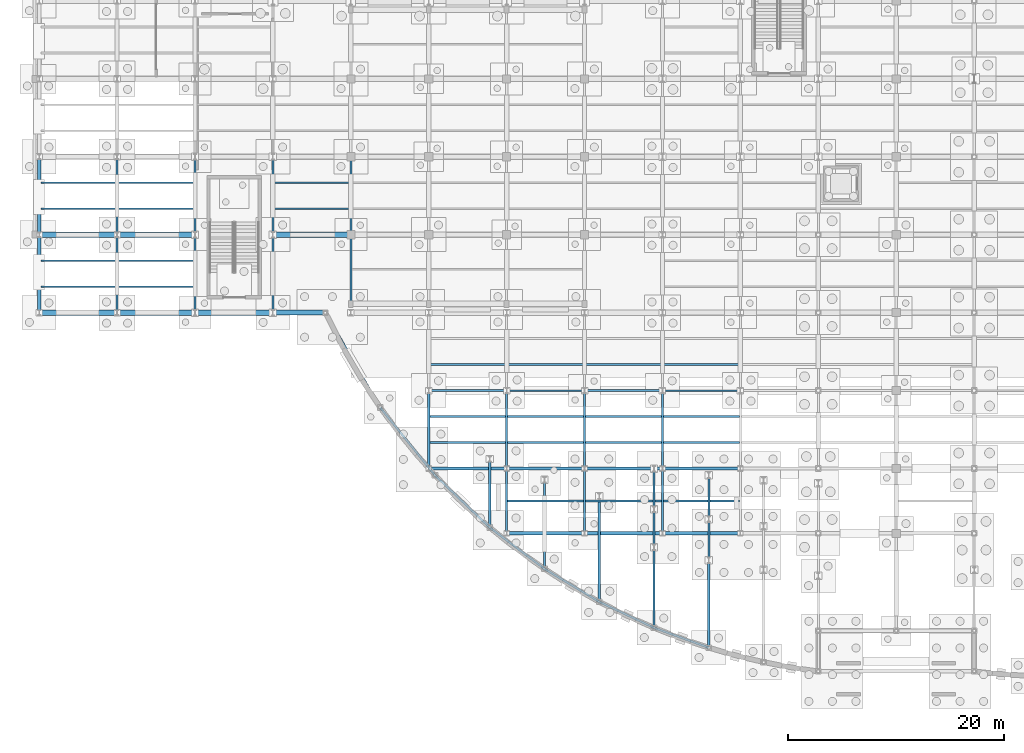
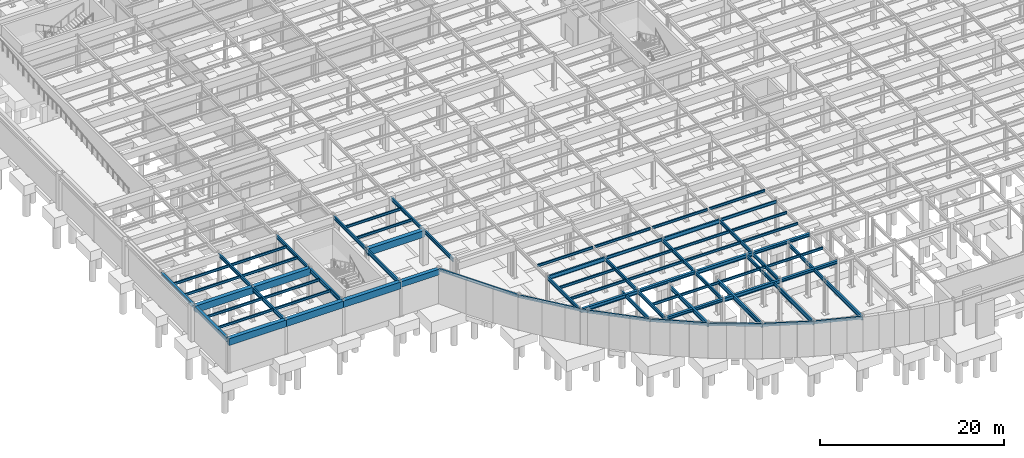
# One storey, part 32 of 64: 76 beams.
"""IFC4 building model written with IfcOpenShell, lengths in metres."""

from ifc_helpers import new_model, si_unit, direction, frame, origin, origin_2d, place, context, subcontext, project, spatial, rectangle, hollow_rectangle, i_section, extrude, material, material_profile, profile_set, type_object, element, save


model = new_model("IFC4")

# Units and contexts
model_context = context("Model", 3, precision=1e-05, world=origin(), true_north=direction((0.0, 1.0)))
body_context = subcontext(model_context, "Body", "Model", "MODEL_VIEW")
ifc_project = project(units=[si_unit("LENGTHUNIT", "METRE"), si_unit("AREAUNIT", "SQUARE_METRE"), si_unit("VOLUMEUNIT", "CUBIC_METRE"), si_unit("PLANEANGLEUNIT", "RADIAN"), si_unit("MASSUNIT", "GRAM", prefix="KILO")], contexts=[model_context])

# Site, building, storey
site_placement = place(None, origin())
site = spatial("IfcSite", under=ifc_project, at=site_placement, CompositionType="ELEMENT")
building_placement = place(site_placement, origin())
building = spatial("IfcBuilding", under=site, at=building_placement, Name="Solvadek Multi-Sports Hall", CompositionType="ELEMENT")
storey_placement = place(building_placement, frame((0.0, 0.0, -4.800048828125)))
storey = spatial("IfcBuildingStorey", under=building, at=storey_placement, Name="B1", CompositionType="ELEMENT", Elevation=-4.800048828125)

# Beams
ifc_material_1 = material(Name="Steel E350 (350 MPa)", Category="steel")
ifc_material_profile_1 = material_profile(ifc_material_1, i_section(OverallWidth=0.139892578125, OverallDepth=0.39990234375, WebThickness=0.0087890625, FlangeThickness=0.01611328125, at=origin_2d()), Name="ISMB 400")
ifc_profile_set_1 = profile_set([ifc_material_profile_1], Name="Steel E350 (350 MPa)")
beam_type_1 = type_object("IfcBeamType", Name="STR-BM-ISMB400", PredefinedType="BEAM", material=ifc_profile_set_1)
for number, where, z_axis, x_axis, name in (
    (1, (43.199951171875, 13.199951171875, 4.35009765625), (1.0, 0.0, 0.0), (0.0, 1.0, 0.0), "B1 Girder B-10 #25"),
    (2, (57.60009765625, 13.199951171875, 4.35009765625), (1.0, 0.0, 0.0), (0.0, 1.0, 0.0), "B1 Girder B-10 #27"),
):
    element("IfcBeam", number, at=place(storey_placement, frame(where, z_axis=z_axis, x_axis=x_axis)), inside=storey, type_object=beam_type_1, Name=name, PredefinedType="BEAM", context=body_context, shape_type="SweptSolid", body=[
        extrude(i_section(OverallWidth=0.139892578125, OverallDepth=0.39990234375, WebThickness=0.0087890625, FlangeThickness=0.01611328125, at=origin_2d()), origin(), (0.0, 0.0, 1.0), 7.199951171875),
    ])
ifc_material_profile_2 = material_profile(ifc_material_1, i_section(OverallWidth=0.18994140625, OverallDepth=0.550048828125, WebThickness=0.01123046875, FlangeThickness=0.019287109375, at=origin_2d()), Name="ISMB 550")
ifc_profile_set_2 = profile_set([ifc_material_profile_2], Name="Steel E350 (350 MPa)")
beam_type_2 = type_object("IfcBeamType", Name="STR-BM-ISMB550", PredefinedType="BEAM", material=ifc_profile_set_2)
beam_1_placement = place(storey_placement, frame((36.0, 13.199951171875, 4.275146484375), z_axis=(1.0, 0.0, 0.0), x_axis=(0.0, 1.0, 0.0)))
element("IfcBeam", 3, at=beam_1_placement, inside=storey, type_object=beam_type_2, Name="B1 Girder B-06 #24", PredefinedType="BEAM", context=body_context, shape_type="SweptSolid", body=[
    extrude(i_section(OverallWidth=0.18994140625, OverallDepth=0.550048828125, WebThickness=0.01123046875, FlangeThickness=0.019287109375, at=origin_2d()), origin(), (0.0, 0.0, 1.0), 7.199951171875),
])
beam_2_placement = place(storey_placement, frame((50.39990234375, 13.199951171875, 4.275146484375), z_axis=(1.0, 0.0, 0.0), x_axis=(0.0, 1.0, 0.0)))
element("IfcBeam", 4, at=beam_2_placement, inside=storey, type_object=beam_type_2, Name="B1 Girder B-06 #26", PredefinedType="BEAM", context=body_context, shape_type="SweptSolid", body=[
    extrude(i_section(OverallWidth=0.18994140625, OverallDepth=0.550048828125, WebThickness=0.01123046875, FlangeThickness=0.019287109375, at=origin_2d()), origin(), (0.0, 0.0, 1.0), 7.2001953125),
])
ifc_material_profile_3 = material_profile(ifc_material_1, i_section(OverallWidth=0.18994140625, OverallDepth=0.449951171875, WebThickness=0.009521484375, FlangeThickness=0.0146484375, at=origin_2d()), Name="NPB 450")
ifc_profile_set_3 = profile_set([ifc_material_profile_3], Name="Steel E350 (350 MPa)")
beam_type_3 = type_object("IfcBeamType", Name="STR-BM-NPB450", PredefinedType="BEAM", material=ifc_profile_set_3)
for number, where, z_axis, x_axis, name in (
    (5, (7.199951171875, 27.60009765625, 4.324951171875), (0.0, 1.0, 0.0), (-1.0, 0.0, 0.0), "B1 Girder B-08 #270"),
    (6, (14.39990234375, 27.60009765625, 4.324951171875), (0.0, 1.0, 0.0), (-1.0, 0.0, 0.0), "B1 Girder B-08 #282"),
    (7, (21.60009765625, 27.60009765625, 4.324951171875), (0.0, 1.0, 0.0), (-1.0, 0.0, 0.0), "B1 Girder B-08 #293"),
):
    element("IfcBeam", number, at=place(storey_placement, frame(where, z_axis=z_axis, x_axis=x_axis)), inside=storey, type_object=beam_type_3, Name=name, PredefinedType="BEAM", context=body_context, shape_type="SweptSolid", body=[
        extrude(i_section(OverallWidth=0.18994140625, OverallDepth=0.449951171875, WebThickness=0.009521484375, FlangeThickness=0.0146484375, at=origin_2d()), origin(), (0.0, 0.0, 1.0), 7.199951171875),
    ])
beam_3_placement = place(storey_placement, frame((28.800048828125, 21.199951171875, 4.324951171875), z_axis=(0.0, 1.0, 0.0), x_axis=(-1.0, 0.0, 0.0)))
element("IfcBeam", 8, at=beam_3_placement, inside=storey, type_object=beam_type_3, Name="B1 Girder B-08 #304", PredefinedType="BEAM", context=body_context, shape_type="SweptSolid", body=[
    extrude(i_section(OverallWidth=0.18994140625, OverallDepth=0.449951171875, WebThickness=0.009521484375, FlangeThickness=0.0146484375, at=origin_2d()), origin(), (0.0, 0.0, 1.0), 6.400146484375),
])
for number, where, z_axis, x_axis, name in (
    (9, (28.800048828125, 27.60009765625, 4.324951171875), (0.0, 1.0, 0.0), (-1.0, 0.0, 0.0), "B1 Girder B-08 #305"),
    (10, (36.0, 6.0, 4.324951171875), (0.0, 1.0, 0.0), (-1.0, 0.0, 0.0), "B1 Girder B-08 #316"),
):
    element("IfcBeam", number, at=place(storey_placement, frame(where, z_axis=z_axis, x_axis=x_axis)), inside=storey, type_object=beam_type_3, Name=name, PredefinedType="BEAM", context=body_context, shape_type="SweptSolid", body=[
        extrude(i_section(OverallWidth=0.18994140625, OverallDepth=0.449951171875, WebThickness=0.009521484375, FlangeThickness=0.0146484375, at=origin_2d()), origin(), (0.0, 0.0, 1.0), 7.199951171875),
    ])
beam_4_placement = place(storey_placement, frame((41.636474609375, 0.54541015625, 4.324951171875), z_axis=(0.0, 1.0, 0.0), x_axis=(-1.0, 0.0, 0.0)))
element("IfcBeam", 11, at=beam_4_placement, inside=storey, type_object=beam_type_3, Name="B1 Girder B-08 #330", PredefinedType="BEAM", context=body_context, shape_type="SweptSolid", body=[
    extrude(i_section(OverallWidth=0.18994140625, OverallDepth=0.449951171875, WebThickness=0.009521484375, FlangeThickness=0.0146484375, at=origin_2d()), origin(), (0.0, 0.0, 1.0), 6.3271484375),
])
beam_5_placement = place(storey_placement, frame((43.199951171875, 0.0, 4.324951171875), z_axis=(0.0, 1.0, 0.0), x_axis=(-1.0, 0.0, 0.0)))
element("IfcBeam", 12, at=beam_5_placement, inside=storey, type_object=beam_type_3, Name="B1 Girder B-08 #331", PredefinedType="BEAM", context=body_context, shape_type="SweptSolid", body=[
    extrude(i_section(OverallWidth=0.18994140625, OverallDepth=0.449951171875, WebThickness=0.009521484375, FlangeThickness=0.0146484375, at=origin_2d()), origin(), (0.0, 0.0, 1.0), 6.0),
])
beam_6_placement = place(storey_placement, frame((43.199951171875, 6.0, 4.324951171875), z_axis=(0.0, 1.0, 0.0), x_axis=(-1.0, 0.0, 0.0)))
element("IfcBeam", 13, at=beam_6_placement, inside=storey, type_object=beam_type_3, Name="B1 Girder B-08 #332", PredefinedType="BEAM", context=body_context, shape_type="SweptSolid", body=[
    extrude(i_section(OverallWidth=0.18994140625, OverallDepth=0.449951171875, WebThickness=0.009521484375, FlangeThickness=0.0146484375, at=origin_2d()), origin(), (0.0, 0.0, 1.0), 7.199951171875),
])
beam_7_placement = place(storey_placement, frame((50.39990234375, 0.0, 4.324951171875), z_axis=(0.0, 1.0, 0.0), x_axis=(-1.0, 0.0, 0.0)))
element("IfcBeam", 14, at=beam_7_placement, inside=storey, type_object=beam_type_3, Name="B1 Girder B-08 #347", PredefinedType="BEAM", context=body_context, shape_type="SweptSolid", body=[
    extrude(i_section(OverallWidth=0.18994140625, OverallDepth=0.449951171875, WebThickness=0.009521484375, FlangeThickness=0.0146484375, at=origin_2d()), origin(), (0.0, 0.0, 1.0), 6.0),
])
beam_8_placement = place(storey_placement, frame((50.39990234375, 6.0, 4.324951171875), z_axis=(0.0, 1.0, 0.0), x_axis=(-1.0, 0.0, 0.0)))
element("IfcBeam", 15, at=beam_8_placement, inside=storey, type_object=beam_type_3, Name="B1 Girder B-08 #348", PredefinedType="BEAM", context=body_context, shape_type="SweptSolid", body=[
    extrude(i_section(OverallWidth=0.18994140625, OverallDepth=0.449951171875, WebThickness=0.009521484375, FlangeThickness=0.0146484375, at=origin_2d()), origin(), (0.0, 0.0, 1.0), 7.199951171875),
])
beam_9_placement = place(storey_placement, frame((56.818115234375, -1.27001953125, 4.324951171875), z_axis=(0.0, 1.0, 0.0), x_axis=(-1.0, 0.0, 0.0)))
element("IfcBeam", 16, at=beam_9_placement, inside=storey, type_object=beam_type_3, Name="B1 Girder B-08 #364", PredefinedType="BEAM", context=body_context, shape_type="SweptSolid", body=[
    extrude(i_section(OverallWidth=0.18994140625, OverallDepth=0.449951171875, WebThickness=0.009521484375, FlangeThickness=0.0146484375, at=origin_2d()), origin(), (0.0, 0.0, 1.0), 3.5078125),
])
beam_10_placement = place(storey_placement, frame((56.818115234375, 2.23779296875, 4.324951171875), z_axis=(0.0, 1.0, 0.0), x_axis=(-1.0, 0.0, 0.0)))
element("IfcBeam", 17, at=beam_10_placement, inside=storey, type_object=beam_type_3, Name="B1 Girder B-08 #365", PredefinedType="BEAM", context=body_context, shape_type="SweptSolid", body=[
    extrude(i_section(OverallWidth=0.18994140625, OverallDepth=0.449951171875, WebThickness=0.009521484375, FlangeThickness=0.0146484375, at=origin_2d()), origin(), (0.0, 0.0, 1.0), 3.727294921875),
])
beam_11_placement = place(storey_placement, frame((57.60009765625, 0.0, 4.324951171875), z_axis=(0.0, 1.0, 0.0), x_axis=(-1.0, 0.0, 0.0)))
element("IfcBeam", 18, at=beam_11_placement, inside=storey, type_object=beam_type_3, Name="B1 Girder B-08 #366", PredefinedType="BEAM", context=body_context, shape_type="SweptSolid", body=[
    extrude(i_section(OverallWidth=0.18994140625, OverallDepth=0.449951171875, WebThickness=0.009521484375, FlangeThickness=0.0146484375, at=origin_2d()), origin(), (0.0, 0.0, 1.0), 6.0),
])
beam_12_placement = place(storey_placement, frame((57.60009765625, 6.0, 4.324951171875), z_axis=(0.0, 1.0, 0.0), x_axis=(-1.0, 0.0, 0.0)))
element("IfcBeam", 19, at=beam_12_placement, inside=storey, type_object=beam_type_3, Name="B1 Girder B-08 #367", PredefinedType="BEAM", context=body_context, shape_type="SweptSolid", body=[
    extrude(i_section(OverallWidth=0.18994140625, OverallDepth=0.449951171875, WebThickness=0.009521484375, FlangeThickness=0.0146484375, at=origin_2d()), origin(), (0.0, 0.0, 1.0), 7.199951171875),
])
beam_13_placement = place(storey_placement, frame((61.87890625, -2.4833984375, 4.324951171875), z_axis=(0.0, 1.0, 0.0), x_axis=(-1.0, 0.0, 0.0)))
element("IfcBeam", 20, at=beam_13_placement, inside=storey, type_object=beam_type_3, Name="B1 Girder B-08 #382", PredefinedType="BEAM", context=body_context, shape_type="SweptSolid", body=[
    extrude(i_section(OverallWidth=0.18994140625, OverallDepth=0.449951171875, WebThickness=0.009521484375, FlangeThickness=0.0146484375, at=origin_2d()), origin(), (0.0, 0.0, 1.0), 3.802001953125),
])
beam_14_placement = place(storey_placement, frame((61.87890625, 1.318603515625, 4.324951171875), z_axis=(0.0, 1.0, 0.0), x_axis=(-1.0, 0.0, 0.0)))
element("IfcBeam", 21, at=beam_14_placement, inside=storey, type_object=beam_type_3, Name="B1 Girder B-08 #383", PredefinedType="BEAM", context=body_context, shape_type="SweptSolid", body=[
    extrude(i_section(OverallWidth=0.18994140625, OverallDepth=0.449951171875, WebThickness=0.009521484375, FlangeThickness=0.0146484375, at=origin_2d()), origin(), (0.0, 0.0, 1.0), 4.039794921875),
])
ifc_material_profile_4 = material_profile(ifc_material_1, i_section(OverallWidth=0.2099609375, OverallDepth=0.550048828125, WebThickness=0.010986328125, FlangeThickness=0.01708984375, at=origin_2d()), Name="NPB 550")
ifc_profile_set_4 = profile_set([ifc_material_profile_4], Name="Steel E350 (350 MPa)")
beam_type_4 = type_object("IfcBeamType", Name="STR-BM-NPB550", PredefinedType="BEAM", material=ifc_profile_set_4)
for number, where, z_axis, x_axis, name in (
    (22, (7.199951171875, 20.39990234375, 4.275146484375), (0.0, 1.0, 0.0), (-1.0, 0.0, 0.0), "B1 Girder B-05 #269"),
    (23, (14.39990234375, 20.39990234375, 4.275146484375), (0.0, 1.0, 0.0), (-1.0, 0.0, 0.0), "B1 Girder B-05 #281"),
    (24, (21.60009765625, 20.39990234375, 4.275146484375), (0.0, 1.0, 0.0), (-1.0, 0.0, 0.0), "B1 Girder B-05 #292"),
):
    element("IfcBeam", number, at=place(storey_placement, frame(where, z_axis=z_axis, x_axis=x_axis)), inside=storey, type_object=beam_type_4, Name=name, PredefinedType="BEAM", context=body_context, shape_type="SweptSolid", body=[
        extrude(i_section(OverallWidth=0.2099609375, OverallDepth=0.550048828125, WebThickness=0.010986328125, FlangeThickness=0.01708984375, at=origin_2d()), origin(), (0.0, 0.0, 1.0), 7.2001953125),
    ])
beam_15_placement = place(storey_placement, frame((46.697021484375, -3.2783203125, 4.275146484375), z_axis=(0.0, 1.0, 0.0), x_axis=(-1.0, 0.0, 0.0)))
element("IfcBeam", 25, at=beam_15_placement, inside=storey, type_object=beam_type_4, Name="B1 Girder B-05 #346", PredefinedType="BEAM", context=body_context, shape_type="SweptSolid", body=[
    extrude(i_section(OverallWidth=0.2099609375, OverallDepth=0.550048828125, WebThickness=0.010986328125, FlangeThickness=0.01708984375, at=origin_2d()), origin(), (0.0, 0.0, 1.0), 8.239013671875),
])
beam_16_placement = place(storey_placement, frame((51.757568359375, -6.323974609375, 4.275146484375), z_axis=(0.0, 1.0, 0.0), x_axis=(-1.0, 0.0, 0.0)))
element("IfcBeam", 26, at=beam_16_placement, inside=storey, type_object=beam_type_4, Name="B1 Girder B-05 #362", PredefinedType="BEAM", context=body_context, shape_type="SweptSolid", body=[
    extrude(i_section(OverallWidth=0.2099609375, OverallDepth=0.550048828125, WebThickness=0.010986328125, FlangeThickness=0.01708984375, at=origin_2d()), origin(), (0.0, 0.0, 1.0), 9.761962890625),
])
beam_17_placement = place(storey_placement, frame((56.818115234375, -8.72412109375, 4.275146484375), z_axis=(0.0, 1.0, 0.0), x_axis=(-1.0, 0.0, 0.0)))
element("IfcBeam", 27, at=beam_17_placement, inside=storey, type_object=beam_type_4, Name="B1 Girder B-05 #363", PredefinedType="BEAM", context=body_context, shape_type="SweptSolid", body=[
    extrude(i_section(OverallWidth=0.2099609375, OverallDepth=0.550048828125, WebThickness=0.010986328125, FlangeThickness=0.01708984375, at=origin_2d()), origin(), (0.0, 0.0, 1.0), 7.4541015625),
])
beam_18_placement = place(storey_placement, frame((61.87890625, -10.562744140625, 4.275146484375), z_axis=(0.0, 1.0, 0.0), x_axis=(-1.0, 0.0, 0.0)))
element("IfcBeam", 28, at=beam_18_placement, inside=storey, type_object=beam_type_4, Name="B1 Girder B-05 #381", PredefinedType="BEAM", context=body_context, shape_type="SweptSolid", body=[
    extrude(i_section(OverallWidth=0.2099609375, OverallDepth=0.550048828125, WebThickness=0.010986328125, FlangeThickness=0.01708984375, at=origin_2d()), origin(), (0.0, 0.0, 1.0), 8.079345703125),
])
ifc_material_profile_5 = material_profile(ifc_material_1, i_section(OverallWidth=0.159912109375, OverallDepth=0.330078125, WebThickness=0.007568359375, FlangeThickness=0.011474609375, at=origin_2d()), Name="NPB 330")
ifc_profile_set_5 = profile_set([ifc_material_profile_5], Name="Steel E350 (350 MPa)")
beam_type_5 = type_object("IfcBeamType", Name="STR-JST-NPB330", PredefinedType="JOIST", material=ifc_profile_set_5)
beam_19_placement = place(storey_placement, frame((43.294921875, 3.0, 4.385009765625), z_axis=(1.0, 0.0, 0.0), x_axis=(0.0, 1.0, 0.0)))
element("IfcBeam", 29, at=beam_19_placement, inside=storey, type_object=beam_type_5, Name="B1 Composite Joist J-02 #1", PredefinedType="JOIST", context=body_context, shape_type="SweptSolid", body=[
    extrude(i_section(OverallWidth=0.159912109375, OverallDepth=0.330078125, WebThickness=0.007568359375, FlangeThickness=0.011474609375, at=origin_2d()), origin(), (0.0, 0.0, 1.0), 7.010009765625),
])
beam_20_placement = place(storey_placement, frame((50.4951171875, 3.0, 4.385009765625), z_axis=(1.0, 0.0, 0.0), x_axis=(0.0, 1.0, 0.0)))
element("IfcBeam", 30, at=beam_20_placement, inside=storey, type_object=beam_type_5, Name="B1 Composite Joist J-02 #2", PredefinedType="JOIST", context=body_context, shape_type="SweptSolid", body=[
    extrude(i_section(OverallWidth=0.159912109375, OverallDepth=0.330078125, WebThickness=0.007568359375, FlangeThickness=0.011474609375, at=origin_2d()), origin(), (0.0, 0.0, 1.0), 7.009765625),
])
for number, where, z_axis, x_axis, name in (
    (31, (57.695068359375, 3.0, 4.385009765625), (1.0, 0.0, 0.0), (0.0, 1.0, 0.0), "B1 Composite Joist J-02 #3"),
    (32, (36.094970703125, 8.39990234375, 4.385009765625), (1.0, 0.0, 0.0), (0.0, 1.0, 0.0), "B1 Composite Joist J-02 #5"),
    (33, (36.094970703125, 10.800048828125, 4.385009765625), (1.0, 0.0, 0.0), (0.0, 1.0, 0.0), "B1 Composite Joist J-02 #6"),
    (34, (43.294921875, 8.39990234375, 4.385009765625), (1.0, 0.0, 0.0), (0.0, 1.0, 0.0), "B1 Composite Joist J-02 #7"),
    (35, (43.294921875, 10.800048828125, 4.385009765625), (1.0, 0.0, 0.0), (0.0, 1.0, 0.0), "B1 Composite Joist J-02 #8"),
):
    element("IfcBeam", number, at=place(storey_placement, frame(where, z_axis=z_axis, x_axis=x_axis)), inside=storey, type_object=beam_type_5, Name=name, PredefinedType="JOIST", context=body_context, shape_type="SweptSolid", body=[
        extrude(i_section(OverallWidth=0.159912109375, OverallDepth=0.330078125, WebThickness=0.007568359375, FlangeThickness=0.011474609375, at=origin_2d()), origin(), (0.0, 0.0, 1.0), 7.010009765625),
    ])
for number, where, z_axis, x_axis, name in (
    (36, (50.4951171875, 8.39990234375, 4.385009765625), (1.0, 0.0, 0.0), (0.0, 1.0, 0.0), "B1 Composite Joist J-02 #9"),
    (37, (50.4951171875, 10.800048828125, 4.385009765625), (1.0, 0.0, 0.0), (0.0, 1.0, 0.0), "B1 Composite Joist J-02 #10"),
):
    element("IfcBeam", number, at=place(storey_placement, frame(where, z_axis=z_axis, x_axis=x_axis)), inside=storey, type_object=beam_type_5, Name=name, PredefinedType="JOIST", context=body_context, shape_type="SweptSolid", body=[
        extrude(i_section(OverallWidth=0.159912109375, OverallDepth=0.330078125, WebThickness=0.007568359375, FlangeThickness=0.011474609375, at=origin_2d()), origin(), (0.0, 0.0, 1.0), 7.009765625),
    ])
for number, where, z_axis, x_axis, name in (
    (38, (57.695068359375, 8.39990234375, 4.385009765625), (1.0, 0.0, 0.0), (0.0, 1.0, 0.0), "B1 Composite Joist J-02 #11"),
    (39, (57.695068359375, 10.800048828125, 4.385009765625), (1.0, 0.0, 0.0), (0.0, 1.0, 0.0), "B1 Composite Joist J-02 #12"),
    (40, (36.094970703125, 15.60009765625, 4.385009765625), (1.0, 0.0, 0.0), (0.0, 1.0, 0.0), "B1 Composite Joist J-02 #33"),
    (41, (43.294921875, 15.60009765625, 4.385009765625), (1.0, 0.0, 0.0), (0.0, 1.0, 0.0), "B1 Composite Joist J-02 #35"),
):
    element("IfcBeam", number, at=place(storey_placement, frame(where, z_axis=z_axis, x_axis=x_axis)), inside=storey, type_object=beam_type_5, Name=name, PredefinedType="JOIST", context=body_context, shape_type="SweptSolid", body=[
        extrude(i_section(OverallWidth=0.159912109375, OverallDepth=0.330078125, WebThickness=0.007568359375, FlangeThickness=0.011474609375, at=origin_2d()), origin(), (0.0, 0.0, 1.0), 7.010009765625),
    ])
beam_21_placement = place(storey_placement, frame((50.4951171875, 15.60009765625, 4.385009765625), z_axis=(1.0, 0.0, 0.0), x_axis=(0.0, 1.0, 0.0)))
element("IfcBeam", 42, at=beam_21_placement, inside=storey, type_object=beam_type_5, Name="B1 Composite Joist J-02 #37", PredefinedType="JOIST", context=body_context, shape_type="SweptSolid", body=[
    extrude(i_section(OverallWidth=0.159912109375, OverallDepth=0.330078125, WebThickness=0.007568359375, FlangeThickness=0.011474609375, at=origin_2d()), origin(), (0.0, 0.0, 1.0), 7.009765625),
])
beam_22_placement = place(storey_placement, frame((57.695068359375, 15.60009765625, 4.385009765625), z_axis=(1.0, 0.0, 0.0), x_axis=(0.0, 1.0, 0.0)))
element("IfcBeam", 43, at=beam_22_placement, inside=storey, type_object=beam_type_5, Name="B1 Composite Joist J-02 #39", PredefinedType="JOIST", context=body_context, shape_type="SweptSolid", body=[
    extrude(i_section(OverallWidth=0.159912109375, OverallDepth=0.330078125, WebThickness=0.007568359375, FlangeThickness=0.011474609375, at=origin_2d()), origin(), (0.0, 0.0, 1.0), 7.010009765625),
])
for number, where, z_axis, x_axis, name in (
    (44, (0.14990234375, 22.800048828125, 4.385009765625), (1.0, 0.0, 0.0), (0.0, 1.0, 0.0), "B1 Composite Joist J-02 #61"),
    (45, (0.14990234375, 25.199951171875, 4.385009765625), (1.0, 0.0, 0.0), (0.0, 1.0, 0.0), "B1 Composite Joist J-02 #62"),
):
    element("IfcBeam", number, at=place(storey_placement, frame(where, z_axis=z_axis, x_axis=x_axis)), inside=storey, type_object=beam_type_5, Name=name, PredefinedType="JOIST", context=body_context, shape_type="SweptSolid", body=[
        extrude(i_section(OverallWidth=0.159912109375, OverallDepth=0.330078125, WebThickness=0.007568359375, FlangeThickness=0.011474609375, at=origin_2d()), origin(), (0.0, 0.0, 1.0), 6.945068359375),
    ])
for number, where, z_axis, x_axis, name in (
    (46, (7.304931640625, 22.800048828125, 4.385009765625), (1.0, 0.0, 0.0), (0.0, 1.0, 0.0), "B1 Composite Joist J-02 #63"),
    (47, (7.304931640625, 25.199951171875, 4.385009765625), (1.0, 0.0, 0.0), (0.0, 1.0, 0.0), "B1 Composite Joist J-02 #64"),
):
    element("IfcBeam", number, at=place(storey_placement, frame(where, z_axis=z_axis, x_axis=x_axis)), inside=storey, type_object=beam_type_5, Name=name, PredefinedType="JOIST", context=body_context, shape_type="SweptSolid", body=[
        extrude(i_section(OverallWidth=0.159912109375, OverallDepth=0.330078125, WebThickness=0.007568359375, FlangeThickness=0.011474609375, at=origin_2d()), origin(), (0.0, 0.0, 1.0), 6.989990234375),
    ])
for number, where, z_axis, x_axis, name in (
    (48, (0.14990234375, 30.0, 4.385009765625), (1.0, 0.0, 0.0), (0.0, 1.0, 0.0), "B1 Composite Joist J-02 #88"),
    (49, (0.14990234375, 32.39990234375, 4.385009765625), (1.0, 0.0, 0.0), (0.0, 1.0, 0.0), "B1 Composite Joist J-02 #89"),
):
    element("IfcBeam", number, at=place(storey_placement, frame(where, z_axis=z_axis, x_axis=x_axis)), inside=storey, type_object=beam_type_5, Name=name, PredefinedType="JOIST", context=body_context, shape_type="SweptSolid", body=[
        extrude(i_section(OverallWidth=0.159912109375, OverallDepth=0.330078125, WebThickness=0.007568359375, FlangeThickness=0.011474609375, at=origin_2d()), origin(), (0.0, 0.0, 1.0), 6.955078125),
    ])
for number, where, z_axis, x_axis, name in (
    (50, (7.294921875, 30.0, 4.385009765625), (1.0, 0.0, 0.0), (0.0, 1.0, 0.0), "B1 Composite Joist J-02 #90"),
    (51, (7.294921875, 32.39990234375, 4.385009765625), (1.0, 0.0, 0.0), (0.0, 1.0, 0.0), "B1 Composite Joist J-02 #91"),
    (52, (21.695068359375, 30.0, 4.385009765625), (1.0, 0.0, 0.0), (0.0, 1.0, 0.0), "B1 Composite Joist J-02 #92"),
    (53, (21.695068359375, 32.39990234375, 4.385009765625), (1.0, 0.0, 0.0), (0.0, 1.0, 0.0), "B1 Composite Joist J-02 #93"),
):
    element("IfcBeam", number, at=place(storey_placement, frame(where, z_axis=z_axis, x_axis=x_axis)), inside=storey, type_object=beam_type_5, Name=name, PredefinedType="JOIST", context=body_context, shape_type="SweptSolid", body=[
        extrude(i_section(OverallWidth=0.159912109375, OverallDepth=0.330078125, WebThickness=0.007568359375, FlangeThickness=0.011474609375, at=origin_2d()), origin(), (0.0, 0.0, 1.0), 7.010009765625),
    ])
ifc_material_profile_6 = material_profile(ifc_material_1, hollow_rectangle(XDim=0.199951171875, YDim=0.35009765625, WallThickness=0.011962890625, at=origin_2d()), Name="RHS 350x200x12")
ifc_profile_set_6 = profile_set([ifc_material_profile_6], Name="Steel E350 (350 MPa)")
beam_type_6 = type_object("IfcBeamType", Name="STR-SPN-RHS350", PredefinedType="SPANDREL", material=ifc_profile_set_6)
beam_23_placement = place(storey_placement, frame((26.45458984375, 20.39990234375, 4.375), z_axis=(0.499895035967, -0.866085996316, 0.0), x_axis=(0.866085996316, 0.499895035967, 0.0)))
element("IfcBeam", 54, at=beam_23_placement, inside=storey, type_object=beam_type_6, Name="B1 Curved Crescent Spandrel #1", PredefinedType="SPANDREL", context=body_context, shape_type="SweptSolid", body=[
    extrude(hollow_rectangle(XDim=0.199951171875, YDim=0.35009765625, WallThickness=0.011962890625, at=origin_2d()), origin(), (0.0, 0.0, 1.0), 10.123291015625),
])
beam_24_placement = place(storey_placement, frame((31.51513671875, 11.63232421875, 4.375), z_axis=(0.628622254602, -0.777710782373, 0.0), x_axis=(0.777710782373, 0.628622254602, 0.0)))
element("IfcBeam", 55, at=beam_24_placement, inside=storey, type_object=beam_type_6, Name="B1 Curved Crescent Spandrel #2", PredefinedType="SPANDREL", context=body_context, shape_type="SweptSolid", body=[
    extrude(hollow_rectangle(XDim=0.199951171875, YDim=0.35009765625, WallThickness=0.011962890625, at=origin_2d()), origin(), (0.0, 0.0, 1.0), 8.05029296875),
])
beam_25_placement = place(storey_placement, frame((36.57568359375, 5.37158203125, 4.375), z_axis=(0.723682801678, -0.690132742707, 0.0), x_axis=(0.690132742707, 0.723682801678, 0.0)))
element("IfcBeam", 56, at=beam_25_placement, inside=storey, type_object=beam_type_6, Name="B1 Curved Crescent Spandrel #3", PredefinedType="SPANDREL", context=body_context, shape_type="SweptSolid", body=[
    extrude(hollow_rectangle(XDim=0.199951171875, YDim=0.35009765625, WallThickness=0.011962890625, at=origin_2d()), origin(), (0.0, 0.0, 1.0), 6.9931640625),
])
beam_26_placement = place(storey_placement, frame((41.636474609375, 0.54541015625, 4.375), z_axis=(0.797851689888, -0.602853780732, 0.0), x_axis=(0.602853780732, 0.797851689888, 0.0)))
element("IfcBeam", 57, at=beam_26_placement, inside=storey, type_object=beam_type_6, Name="B1 Curved Crescent Spandrel #4", PredefinedType="SPANDREL", context=body_context, shape_type="SweptSolid", body=[
    extrude(hollow_rectangle(XDim=0.199951171875, YDim=0.35009765625, WallThickness=0.011962890625, at=origin_2d()), origin(), (0.0, 0.0, 1.0), 6.3427734375),
])
beam_27_placement = place(storey_placement, frame((46.697021484375, -3.2783203125, 4.375), z_axis=(0.856795520419, -0.51565631596, 0.0), x_axis=(0.51565631596, 0.856795520419, 0.0)))
element("IfcBeam", 58, at=beam_27_placement, inside=storey, type_object=beam_type_6, Name="B1 Curved Crescent Spandrel #5", PredefinedType="SPANDREL", context=body_context, shape_type="SweptSolid", body=[
    extrude(hollow_rectangle(XDim=0.199951171875, YDim=0.35009765625, WallThickness=0.011962890625, at=origin_2d()), origin(), (0.0, 0.0, 1.0), 5.90625),
])
beam_28_placement = place(storey_placement, frame((51.757568359375, -6.323974609375, 4.375), z_axis=(0.90352737495, -0.428530375489, 0.0), x_axis=(0.428530375489, 0.90352737495, 0.0)))
element("IfcBeam", 59, at=beam_28_placement, inside=storey, type_object=beam_type_6, Name="B1 Curved Crescent Spandrel #6", PredefinedType="SPANDREL", context=body_context, shape_type="SweptSolid", body=[
    extrude(hollow_rectangle(XDim=0.199951171875, YDim=0.35009765625, WallThickness=0.011962890625, at=origin_2d()), origin(), (0.0, 0.0, 1.0), 5.600830078125),
])
beam_29_placement = place(storey_placement, frame((56.818115234375, -8.72412109375, 4.375), z_axis=(0.939892672701, -0.341470004251, 0.0), x_axis=(0.341470004251, 0.939892672701, 0.0)))
element("IfcBeam", 60, at=beam_29_placement, inside=storey, type_object=beam_type_6, Name="B1 Curved Crescent Spandrel #7", PredefinedType="SPANDREL", context=body_context, shape_type="SweptSolid", body=[
    extrude(hollow_rectangle(XDim=0.199951171875, YDim=0.35009765625, WallThickness=0.011962890625, at=origin_2d()), origin(), (0.0, 0.0, 1.0), 5.384521484375),
])
ifc_material_profile_7 = material_profile(ifc_material_1, i_section(OverallWidth=0.300048828125, OverallDepth=0.39990234375, WebThickness=0.013427734375, FlangeThickness=0.02392578125, at=origin_2d()), Name="WPB 400")
ifc_profile_set_7 = profile_set([ifc_material_profile_7], Name="Steel E350 (350 MPa)")
beam_type_7 = type_object("IfcBeamType", Name="STR-SPN-WPB400", PredefinedType="SPANDREL", material=ifc_profile_set_7)
for number, where, z_axis, x_axis, name in (
    (61, (43.199951171875, 0.0, 4.35009765625), (1.0, 0.0, 0.0), (0.0, 1.0, 0.0), "B1 Girder SP-02 #4"),
    (62, (57.60009765625, 0.0, 4.35009765625), (1.0, 0.0, 0.0), (0.0, 1.0, 0.0), "B1 Girder SP-02 #6"),
    (63, (43.199951171875, 6.0, 4.35009765625), (1.0, 0.0, 0.0), (0.0, 1.0, 0.0), "B1 Girder SP-02 #11"),
    (64, (57.60009765625, 6.0, 4.35009765625), (1.0, 0.0, 0.0), (0.0, 1.0, 0.0), "B1 Girder SP-02 #13"),
    (65, (0.0, 27.60009765625, 4.35009765625), (0.0, 1.0, 0.0), (-1.0, 0.0, 0.0), "B1 Girder SP-02 #258"),
):
    element("IfcBeam", number, at=place(storey_placement, frame(where, z_axis=z_axis, x_axis=x_axis)), inside=storey, type_object=beam_type_7, Name=name, PredefinedType="SPANDREL", context=body_context, shape_type="SweptSolid", body=[
        extrude(i_section(OverallWidth=0.300048828125, OverallDepth=0.39990234375, WebThickness=0.013427734375, FlangeThickness=0.02392578125, at=origin_2d()), origin(), (0.0, 0.0, 1.0), 7.199951171875),
    ])
ifc_material_profile_8 = material_profile(ifc_material_1, i_section(OverallWidth=0.300048828125, OverallDepth=0.5, WebThickness=0.014404296875, FlangeThickness=0.028076171875, at=origin_2d()), Name="WPB 500")
ifc_profile_set_8 = profile_set([ifc_material_profile_8], Name="Steel E350 (350 MPa)")
beam_type_8 = type_object("IfcBeamType", Name="STR-SPN-WPB500", PredefinedType="SPANDREL", material=ifc_profile_set_8)
beam_30_placement = place(storey_placement, frame((50.39990234375, 0.0, 4.300048828125), z_axis=(1.0, 0.0, 0.0), x_axis=(0.0, 1.0, 0.0)))
element("IfcBeam", 66, at=beam_30_placement, inside=storey, type_object=beam_type_8, Name="B1 Girder SP-01 #5", PredefinedType="SPANDREL", context=body_context, shape_type="SweptSolid", body=[
    extrude(i_section(OverallWidth=0.300048828125, OverallDepth=0.5, WebThickness=0.014404296875, FlangeThickness=0.028076171875, at=origin_2d()), origin(), (0.0, 0.0, 1.0), 7.2001953125),
])
beam_31_placement = place(storey_placement, frame((36.0, 6.0, 4.300048828125), z_axis=(1.0, 0.0, 0.0), x_axis=(0.0, 1.0, 0.0)))
element("IfcBeam", 67, at=beam_31_placement, inside=storey, type_object=beam_type_8, Name="B1 Girder SP-01 #10", PredefinedType="SPANDREL", context=body_context, shape_type="SweptSolid", body=[
    extrude(i_section(OverallWidth=0.300048828125, OverallDepth=0.5, WebThickness=0.014404296875, FlangeThickness=0.028076171875, at=origin_2d()), origin(), (0.0, 0.0, 1.0), 7.199951171875),
])
for number, where, z_axis, x_axis, name in (
    (68, (50.39990234375, 6.0, 4.300048828125), (1.0, 0.0, 0.0), (0.0, 1.0, 0.0), "B1 Girder SP-01 #12"),
    (69, (0.0, 20.39990234375, 4.300048828125), (0.0, 1.0, 0.0), (-1.0, 0.0, 0.0), "B1 Girder SP-01 #257"),
):
    element("IfcBeam", number, at=place(storey_placement, frame(where, z_axis=z_axis, x_axis=x_axis)), inside=storey, type_object=beam_type_8, Name=name, PredefinedType="SPANDREL", context=body_context, shape_type="SweptSolid", body=[
        extrude(i_section(OverallWidth=0.300048828125, OverallDepth=0.5, WebThickness=0.014404296875, FlangeThickness=0.028076171875, at=origin_2d()), origin(), (0.0, 0.0, 1.0), 7.2001953125),
    ])
ifc_material_2 = material(Name="Concrete M35", Category="concrete")
ifc_material_profile_9 = material_profile(ifc_material_2, rectangle(XDim=0.449951171875, YDim=0.75, at=origin_2d()), Name="RC T-BEAM 450x750")
ifc_profile_set_9 = profile_set([ifc_material_profile_9], Name="Concrete M35")
beam_type_9 = type_object("IfcBeamType", Name="STR-TBM-450X750", PredefinedType="T_BEAM", material=ifc_profile_set_9)
beam_32_placement = place(storey_placement, frame((21.60009765625, 20.39990234375, 4.175048828125), z_axis=(1.0, 0.0, 0.0), x_axis=(0.0, 1.0, 0.0)))
element("IfcBeam", 70, at=beam_32_placement, inside=storey, type_object=beam_type_9, Name="B1 Girder TB-01 #41", PredefinedType="T_BEAM", context=body_context, shape_type="SweptSolid", body=[
    extrude(rectangle(XDim=0.449951171875, YDim=0.75, at=origin_2d()), origin(), (0.0, 0.0, 1.0), 4.8544921875),
])
ifc_material_profile_10 = material_profile(ifc_material_2, rectangle(XDim=0.5, YDim=0.89990234375, at=origin_2d()), Name="RC T-BEAM 500x900")
ifc_profile_set_10 = profile_set([ifc_material_profile_10], Name="Concrete M35")
beam_type_10 = type_object("IfcBeamType", Name="STR-TBM-500X900", PredefinedType="T_BEAM", material=ifc_profile_set_10)
for number, where, z_axis, x_axis, name in (
    (71, (0.0, 20.39990234375, 4.10009765625), (1.0, 0.0, 0.0), (0.0, 1.0, 0.0), "B1 Girder TB-02 #38"),
    (72, (7.199951171875, 20.39990234375, 4.10009765625), (1.0, 0.0, 0.0), (0.0, 1.0, 0.0), "B1 Girder TB-02 #39"),
):
    element("IfcBeam", number, at=place(storey_placement, frame(where, z_axis=z_axis, x_axis=x_axis)), inside=storey, type_object=beam_type_10, Name=name, PredefinedType="T_BEAM", context=body_context, shape_type="SweptSolid", body=[
        extrude(rectangle(XDim=0.5, YDim=0.89990234375, at=origin_2d()), origin(), (0.0, 0.0, 1.0), 7.199951171875),
    ])
beam_33_placement = place(storey_placement, frame((14.39990234375, 20.39990234375, 4.10009765625), z_axis=(1.0, 0.0, 0.0), x_axis=(0.0, 1.0, 0.0)))
element("IfcBeam", 73, at=beam_33_placement, inside=storey, type_object=beam_type_10, Name="B1 Girder TB-02 #40", PredefinedType="T_BEAM", context=body_context, shape_type="SweptSolid", body=[
    extrude(rectangle(XDim=0.5, YDim=0.89990234375, at=origin_2d()), origin(), (0.0, 0.0, 1.0), 7.2001953125),
])
for number, where, z_axis, x_axis, name in (
    (74, (0.0, 27.60009765625, 4.10009765625), (1.0, 0.0, 0.0), (0.0, 1.0, 0.0), "B1 Girder TB-02 #60"),
    (75, (7.199951171875, 27.60009765625, 4.10009765625), (1.0, 0.0, 0.0), (0.0, 1.0, 0.0), "B1 Girder TB-02 #61"),
    (76, (21.60009765625, 27.60009765625, 4.10009765625), (1.0, 0.0, 0.0), (0.0, 1.0, 0.0), "B1 Girder TB-02 #62"),
):
    element("IfcBeam", number, at=place(storey_placement, frame(where, z_axis=z_axis, x_axis=x_axis)), inside=storey, type_object=beam_type_10, Name=name, PredefinedType="T_BEAM", context=body_context, shape_type="SweptSolid", body=[
        extrude(rectangle(XDim=0.5, YDim=0.89990234375, at=origin_2d()), origin(), (0.0, 0.0, 1.0), 7.199951171875),
    ])

save(model, "model.ifc")
